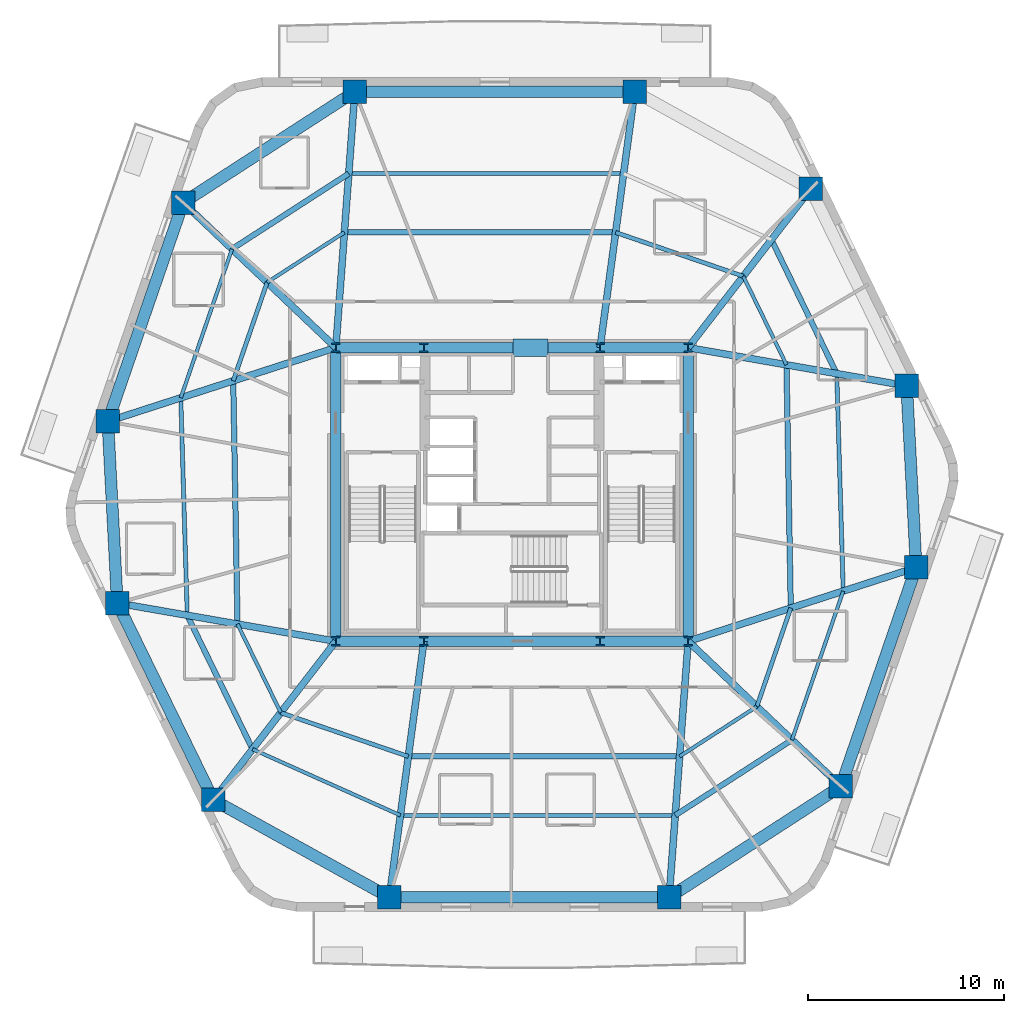
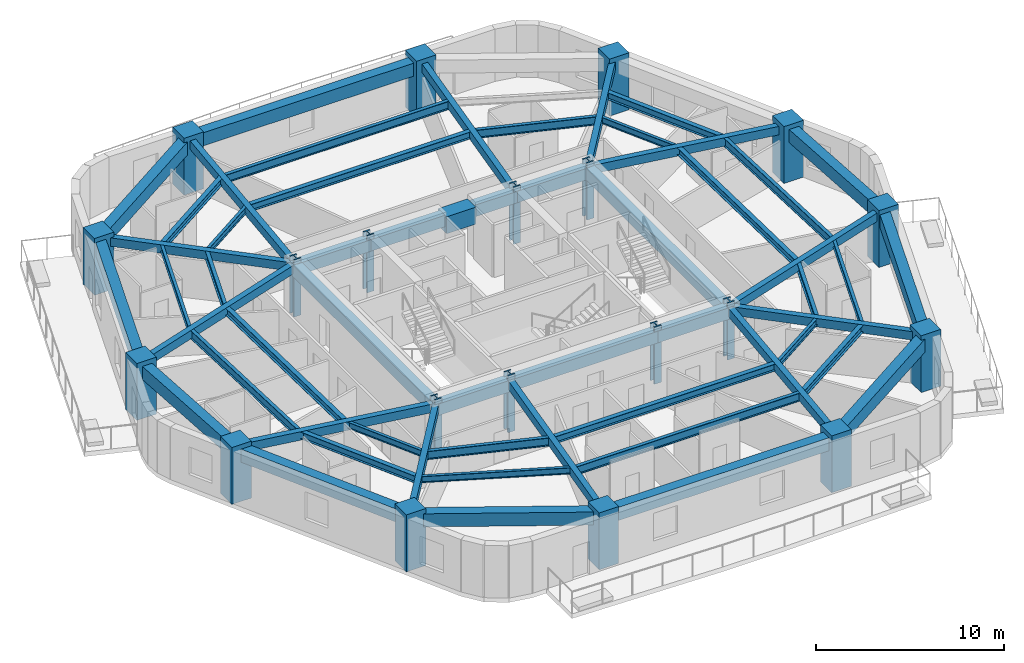
# One storey, part 1 of 8: 54 beams, 20 columns.
"""IFC4 building model written with IfcOpenShell, lengths in metres."""

from ifc_helpers import new_model, si_unit, direction, frame, origin, origin_2d, place, context, subcontext, project, spatial, rectangle, i_section, extrude, material, material_profile, profile_set, type_object, element, save


model = new_model("IFC4")

# Units and contexts
model_context = context("Model", 3, precision=1e-05, world=origin(), true_north=direction((0.0, 1.0)))
body_context = subcontext(model_context, "Body", "Model", "MODEL_VIEW")
ifc_project = project(units=[si_unit("LENGTHUNIT", "METRE"), si_unit("AREAUNIT", "SQUARE_METRE"), si_unit("VOLUMEUNIT", "CUBIC_METRE"), si_unit("PLANEANGLEUNIT", "RADIAN"), si_unit("MASSUNIT", "GRAM", prefix="KILO")], contexts=[model_context])

# Site, building, storey
site_placement = place(None, origin())
site = spatial("IfcSite", under=ifc_project, at=site_placement, CompositionType="ELEMENT")
building_placement = place(site_placement, origin())
building = spatial("IfcBuilding", under=site, at=building_placement, Name="Kilnhurst Terrace Hotel", CompositionType="ELEMENT")
storey_placement = place(building_placement, frame((0.0, 0.0, 102.5)))
storey = spatial("IfcBuildingStorey", under=building, at=storey_placement, Name="L24", CompositionType="ELEMENT", Elevation=102.5)

# Columns
ifc_material_1 = material(Name="Concrete C80/95", Category="concrete")
ifc_material_profile_1 = material_profile(ifc_material_1, rectangle(XDim=1.199951171875, YDim=1.199951171875, at=origin_2d()), Name="RC1200X1200")
ifc_profile_set_1 = profile_set([ifc_material_profile_1], Name="Concrete C80/95")
column_type_1 = type_object("IfcColumnType", Name="COL-RC-1200", PredefinedType="COLUMN", material=ifc_profile_set_1)
for number, where, z_axis, x_axis, name in (
    (1, (-6.26806640625, -20.580078125, 0.0), (0.0, 0.0, 1.0), (1.0, 0.0, 0.0), "L24 Structural Column PC-F11"),
    (2, (8.028076171875, -20.580078125, 0.0), (0.0, 0.0, 1.0), (1.0, 0.0, 0.0), "L24 Structural Column PC-F12"),
    (3, (16.800048828125, -14.910888671875, 0.0), (0.0, 0.0, 1.0), (1.0, 0.0, 0.0), "L24 Structural Column PC-F21"),
    (4, (20.64990234375, -3.73095703125, 0.0), (0.0, 0.0, 1.0), (1.0, 0.0, 0.0), "L24 Structural Column PC-F22"),
    (5, (20.1640625, 5.549072265625, 0.0), (0.0, 0.0, 1.0), (1.0, 0.0, 0.0), "L24 Structural Column PC-F31"),
    (6, (15.257080078125, 15.60888671875, 0.0), (0.0, 0.0, 1.0), (1.0, 0.0, 0.0), "L24 Structural Column PC-F32"),
    (7, (6.26806640625, 20.580078125, 0.0), (0.0, 0.0, 1.0), (1.0, 0.0, 0.0), "L24 Structural Column PC-F41"),
    (8, (-8.028076171875, 20.580078125, 0.0), (0.0, 0.0, 1.0), (1.0, 0.0, 0.0), "L24 Structural Column PC-F42"),
    (9, (-16.800048828125, 14.910888671875, 0.0), (0.0, 0.0, 1.0), (1.0, 0.0, 0.0), "L24 Structural Column PC-F51"),
    (10, (-20.64990234375, 3.73095703125, 0.0), (0.0, 0.0, 1.0), (1.0, 0.0, 0.0), "L24 Structural Column PC-F52"),
    (11, (-20.1640625, -5.549072265625, 0.0), (0.0, 0.0, 1.0), (1.0, 0.0, 0.0), "L24 Structural Column PC-F61"),
    (12, (-15.257080078125, -15.60888671875, 0.0), (0.0, 0.0, 1.0), (1.0, 0.0, 0.0), "L24 Structural Column PC-F62"),
):
    element("IfcColumn", number, at=place(storey_placement, frame(where, z_axis=z_axis, x_axis=x_axis)), inside=storey, type_object=column_type_1, Name=name, PredefinedType="COLUMN", context=body_context, shape_type="SweptSolid", body=[
        extrude(rectangle(XDim=1.199951171875, YDim=1.199951171875, at=origin_2d()), origin(), (0.0, 0.0, 1.0), 3.699951171875),
    ])
ifc_material_2 = material(Name="Steel ASTM A992 Grade 50", Category="steel")
ifc_material_profile_2 = material_profile(ifc_material_2, i_section(OverallWidth=0.43212890625, OverallDepth=0.497802734375, WebThickness=0.0556640625, FlangeThickness=0.0888671875, at=origin_2d()), Name="W14X500")
ifc_profile_set_2 = profile_set([ifc_material_profile_2], Name="Steel ASTM A992 Grade 50")
column_type_2 = type_object("IfcColumnType", Name="COL-STL-W14X500", PredefinedType="COLUMN", material=ifc_profile_set_2)
for number, where, z_axis, x_axis, name in (
    (13, (-9.0, -7.5, 0.0), (0.0, 0.0, 1.0), (1.0, 0.0, 0.0), "L24 Structural Column CC-SW"),
    (14, (-4.5, -7.5, 0.0), (0.0, 0.0, 1.0), (1.0, 0.0, 0.0), "L24 Structural Column CC-SC1"),
    (15, (4.5, -7.5, 0.0), (0.0, 0.0, 1.0), (1.0, 0.0, 0.0), "L24 Structural Column CC-SC2"),
    (16, (9.0, -7.5, 0.0), (0.0, 0.0, 1.0), (1.0, 0.0, 0.0), "L24 Structural Column CC-SE"),
    (17, (9.0, 7.5, 0.0), (0.0, 0.0, 1.0), (1.0, 0.0, 0.0), "L24 Structural Column CC-NE"),
    (18, (4.5, 7.5, 0.0), (0.0, 0.0, 1.0), (1.0, 0.0, 0.0), "L24 Structural Column CC-NC2"),
    (19, (-4.5, 7.5, 0.0), (0.0, 0.0, 1.0), (1.0, 0.0, 0.0), "L24 Structural Column CC-NC1"),
    (20, (-9.0, 7.5, 0.0), (0.0, 0.0, 1.0), (1.0, 0.0, 0.0), "L24 Structural Column CC-NW"),
):
    element("IfcColumn", number, at=place(storey_placement, frame(where, z_axis=z_axis, x_axis=x_axis)), inside=storey, type_object=column_type_2, Name=name, PredefinedType="COLUMN", context=body_context, shape_type="SweptSolid", body=[
        extrude(i_section(OverallWidth=0.43212890625, OverallDepth=0.497802734375, WebThickness=0.0556640625, FlangeThickness=0.0888671875, at=origin_2d()), origin(), (0.0, 0.0, 1.0), 3.699951171875),
    ])

# Beams
ifc_material_3 = material(Name="Concrete C50/60", Category="concrete")
ifc_material_profile_3 = material_profile(ifc_material_3, rectangle(XDim=0.35009765625, YDim=0.550048828125, at=origin_2d()), Name="RC350X550")
ifc_profile_set_3 = profile_set([ifc_material_profile_3], Name="Concrete C50/60")
beam_type_1 = type_object("IfcBeamType", Name="BM-RAD-350X550", PredefinedType="BEAM", material=ifc_profile_set_3)
beam_1_placement = place(storey_placement, frame((-4.5, -7.5, 3.125), z_axis=(-0.133954226177, -0.990987520249, 0.0), x_axis=(0.990987520249, -0.133954226177, 0.0)))
element("IfcBeam", 21, at=beam_1_placement, inside=storey, type_object=beam_type_1, Name="L24 Radial Floor Beam 1", PredefinedType="BEAM", context=body_context, shape_type="SweptSolid", body=[
    extrude(rectangle(XDim=0.35009765625, YDim=0.550048828125, at=origin_2d()), origin(), (0.0, 0.0, 1.0), 13.198974609375),
])
beam_2_placement = place(storey_placement, frame((9.0, -7.5, 3.125), z_axis=(-0.074101371747, -0.997250714066, 0.0), x_axis=(0.997250714066, -0.074101371747, 0.0)))
element("IfcBeam", 22, at=beam_2_placement, inside=storey, type_object=beam_type_1, Name="L24 Radial Floor Beam 2", PredefinedType="BEAM", context=body_context, shape_type="SweptSolid", body=[
    extrude(rectangle(XDim=0.35009765625, YDim=0.550048828125, at=origin_2d()), origin(), (0.0, 0.0, 1.0), 13.1162109375),
])
beam_3_placement = place(storey_placement, frame((9.0, -7.5, 3.125), z_axis=(0.724960341586, -0.688790609059, 0.0), x_axis=(0.688790609059, 0.724960341586, 0.0)))
element("IfcBeam", 23, at=beam_3_placement, inside=storey, type_object=beam_type_1, Name="L24 Radial Floor Beam 3", PredefinedType="BEAM", context=body_context, shape_type="SweptSolid", body=[
    extrude(rectangle(XDim=0.35009765625, YDim=0.550048828125, at=origin_2d()), origin(), (0.0, 0.0, 1.0), 10.75927734375),
])
beam_4_placement = place(storey_placement, frame((9.0, -7.5, 3.125), z_axis=(0.951445549065, 0.307817100182, 0.0), x_axis=(-0.307817100182, 0.951445549065, 0.0)))
element("IfcBeam", 24, at=beam_4_placement, inside=storey, type_object=beam_type_1, Name="L24 Radial Floor Beam 4", PredefinedType="BEAM", context=body_context, shape_type="SweptSolid", body=[
    extrude(rectangle(XDim=0.35009765625, YDim=0.550048828125, at=origin_2d()), origin(), (0.0, 0.0, 1.0), 12.244384765625),
])
beam_5_placement = place(storey_placement, frame((9.0, 7.5, 3.125), z_axis=(0.985072137567, -0.172142045384, 0.0), x_axis=(0.172142045384, 0.985072137567, 0.0)))
element("IfcBeam", 25, at=beam_5_placement, inside=storey, type_object=beam_type_1, Name="L24 Radial Floor Beam 5", PredefinedType="BEAM", context=body_context, shape_type="SweptSolid", body=[
    extrude(rectangle(XDim=0.35009765625, YDim=0.550048828125, at=origin_2d()), origin(), (0.0, 0.0, 1.0), 11.333251953125),
])
beam_6_placement = place(storey_placement, frame((9.0, 7.5, 3.125), z_axis=(0.610904638371, 0.79170418896, 0.0), x_axis=(-0.79170418896, 0.610904638371, 0.0)))
element("IfcBeam", 26, at=beam_6_placement, inside=storey, type_object=beam_type_1, Name="L24 Radial Floor Beam 6", PredefinedType="BEAM", context=body_context, shape_type="SweptSolid", body=[
    extrude(rectangle(XDim=0.35009765625, YDim=0.550048828125, at=origin_2d()), origin(), (0.0, 0.0, 1.0), 10.242431640625),
])
beam_7_placement = place(storey_placement, frame((4.5, 7.5, 3.125), z_axis=(0.133954226177, 0.990987520249, 0.0), x_axis=(-0.990987520249, 0.133954226177, 0.0)))
element("IfcBeam", 27, at=beam_7_placement, inside=storey, type_object=beam_type_1, Name="L24 Radial Floor Beam 7", PredefinedType="BEAM", context=body_context, shape_type="SweptSolid", body=[
    extrude(rectangle(XDim=0.35009765625, YDim=0.550048828125, at=origin_2d()), origin(), (0.0, 0.0, 1.0), 13.198974609375),
])
beam_8_placement = place(storey_placement, frame((-9.0, 7.5, 3.125), z_axis=(0.074101371747, 0.997250714066, 0.0), x_axis=(-0.997250714066, 0.074101371747, 0.0)))
element("IfcBeam", 28, at=beam_8_placement, inside=storey, type_object=beam_type_1, Name="L24 Radial Floor Beam 8", PredefinedType="BEAM", context=body_context, shape_type="SweptSolid", body=[
    extrude(rectangle(XDim=0.35009765625, YDim=0.550048828125, at=origin_2d()), origin(), (0.0, 0.0, 1.0), 13.1162109375),
])
beam_9_placement = place(storey_placement, frame((-9.0, 7.5, 3.125), z_axis=(-0.724960341586, 0.688790609059, 0.0), x_axis=(-0.688790609059, -0.724960341586, 0.0)))
element("IfcBeam", 29, at=beam_9_placement, inside=storey, type_object=beam_type_1, Name="L24 Radial Floor Beam 9", PredefinedType="BEAM", context=body_context, shape_type="SweptSolid", body=[
    extrude(rectangle(XDim=0.35009765625, YDim=0.550048828125, at=origin_2d()), origin(), (0.0, 0.0, 1.0), 10.75927734375),
])
beam_10_placement = place(storey_placement, frame((-9.0, 7.5, 3.125), z_axis=(-0.951445549065, -0.307817100182, 0.0), x_axis=(0.307817100182, -0.951445549065, 0.0)))
element("IfcBeam", 30, at=beam_10_placement, inside=storey, type_object=beam_type_1, Name="L24 Radial Floor Beam 10", PredefinedType="BEAM", context=body_context, shape_type="SweptSolid", body=[
    extrude(rectangle(XDim=0.35009765625, YDim=0.550048828125, at=origin_2d()), origin(), (0.0, 0.0, 1.0), 12.244384765625),
])
beam_11_placement = place(storey_placement, frame((-9.0, -7.5, 3.125), z_axis=(-0.985072137567, 0.172142045384, 0.0), x_axis=(-0.172142045384, -0.985072137567, 0.0)))
element("IfcBeam", 31, at=beam_11_placement, inside=storey, type_object=beam_type_1, Name="L24 Radial Floor Beam 11", PredefinedType="BEAM", context=body_context, shape_type="SweptSolid", body=[
    extrude(rectangle(XDim=0.35009765625, YDim=0.550048828125, at=origin_2d()), origin(), (0.0, 0.0, 1.0), 11.333251953125),
])
beam_12_placement = place(storey_placement, frame((-9.0, -7.5, 3.125), z_axis=(-0.610904638371, -0.79170418896, 0.0), x_axis=(0.79170418896, -0.610904638371, 0.0)))
element("IfcBeam", 32, at=beam_12_placement, inside=storey, type_object=beam_type_1, Name="L24 Radial Floor Beam 12", PredefinedType="BEAM", context=body_context, shape_type="SweptSolid", body=[
    extrude(rectangle(XDim=0.35009765625, YDim=0.550048828125, at=origin_2d()), origin(), (0.0, 0.0, 1.0), 10.242431640625),
])
ifc_material_profile_4 = material_profile(ifc_material_3, rectangle(XDim=0.550048828125, YDim=0.75, at=origin_2d()), Name="RC550X750")
ifc_profile_set_4 = profile_set([ifc_material_profile_4], Name="Concrete C50/60")
beam_type_2 = type_object("IfcBeamType", Name="BM-SPN-550X750", PredefinedType="SPANDREL", material=ifc_profile_set_4)
beam_13_placement = place(storey_placement, frame((-9.0, 7.5, 3.02490234375), z_axis=(1.0, 0.0, 0.0), x_axis=(0.0, 1.0, 0.0)))
element("IfcBeam", 33, at=beam_13_placement, inside=storey, type_object=beam_type_2, Name="L24 Core Tie Beam CC-NW to CC-NC1", PredefinedType="SPANDREL", context=body_context, shape_type="SweptSolid", body=[
    extrude(rectangle(XDim=0.550048828125, YDim=0.75, at=origin_2d()), origin(), (0.0, 0.0, 1.0), 4.5),
])
beam_14_placement = place(storey_placement, frame((-4.5, 7.5, 3.02490234375), z_axis=(1.0, 0.0, 0.0), x_axis=(0.0, 1.0, 0.0)))
element("IfcBeam", 34, at=beam_14_placement, inside=storey, type_object=beam_type_2, Name="L24 Core Tie Beam CC-NC1 to CC-NC2", PredefinedType="SPANDREL", context=body_context, shape_type="SweptSolid", body=[
    extrude(rectangle(XDim=0.550048828125, YDim=0.75, at=origin_2d()), origin(), (0.0, 0.0, 1.0), 9.0),
])
for number, where, z_axis, x_axis, name in (
    (35, (4.5, 7.5, 3.02490234375), (1.0, 0.0, 0.0), (0.0, 1.0, 0.0), "L24 Core Tie Beam CC-NC2 to CC-NE"),
    (36, (-9.0, -7.5, 3.02490234375), (1.0, 0.0, 0.0), (0.0, 1.0, 0.0), "L24 Core Tie Beam CC-SW to CC-SC1"),
):
    element("IfcBeam", number, at=place(storey_placement, frame(where, z_axis=z_axis, x_axis=x_axis)), inside=storey, type_object=beam_type_2, Name=name, PredefinedType="SPANDREL", context=body_context, shape_type="SweptSolid", body=[
        extrude(rectangle(XDim=0.550048828125, YDim=0.75, at=origin_2d()), origin(), (0.0, 0.0, 1.0), 4.5),
    ])
beam_15_placement = place(storey_placement, frame((-4.5, -7.5, 3.02490234375), z_axis=(1.0, 0.0, 0.0), x_axis=(0.0, 1.0, 0.0)))
element("IfcBeam", 37, at=beam_15_placement, inside=storey, type_object=beam_type_2, Name="L24 Core Tie Beam CC-SC1 to CC-SC2", PredefinedType="SPANDREL", context=body_context, shape_type="SweptSolid", body=[
    extrude(rectangle(XDim=0.550048828125, YDim=0.75, at=origin_2d()), origin(), (0.0, 0.0, 1.0), 9.0),
])
beam_16_placement = place(storey_placement, frame((4.5, -7.5, 3.02490234375), z_axis=(1.0, 0.0, 0.0), x_axis=(0.0, 1.0, 0.0)))
element("IfcBeam", 38, at=beam_16_placement, inside=storey, type_object=beam_type_2, Name="L24 Core Tie Beam CC-SC2 to CC-SE", PredefinedType="SPANDREL", context=body_context, shape_type="SweptSolid", body=[
    extrude(rectangle(XDim=0.550048828125, YDim=0.75, at=origin_2d()), origin(), (0.0, 0.0, 1.0), 4.5),
])
for number, where, z_axis, x_axis, name in (
    (39, (-9.0, -7.5, 3.02490234375), (0.0, 1.0, 0.0), (-1.0, 0.0, 0.0), "L24 Core Tie Beam CC-SW to CC-NW"),
    (40, (9.0, -7.5, 3.02490234375), (0.0, 1.0, 0.0), (-1.0, 0.0, 0.0), "L24 Core Tie Beam CC-SE to CC-NE"),
):
    element("IfcBeam", number, at=place(storey_placement, frame(where, z_axis=z_axis, x_axis=x_axis)), inside=storey, type_object=beam_type_2, Name=name, PredefinedType="SPANDREL", context=body_context, shape_type="SweptSolid", body=[
        extrude(rectangle(XDim=0.550048828125, YDim=0.75, at=origin_2d()), origin(), (0.0, 0.0, 1.0), 15.0),
    ])
ifc_material_profile_5 = material_profile(ifc_material_3, rectangle(XDim=0.60009765625, YDim=0.85009765625, at=origin_2d()), Name="RC600X850")
ifc_profile_set_5 = profile_set([ifc_material_profile_5], Name="Concrete C50/60")
beam_type_3 = type_object("IfcBeamType", Name="BM-SPN-600X850", PredefinedType="SPANDREL", material=ifc_profile_set_5)
beam_17_placement = place(storey_placement, frame((-6.26806640625, -20.580078125, 2.97509765625), z_axis=(1.0, 0.0, 0.0), x_axis=(0.0, 1.0, 0.0)))
element("IfcBeam", 41, at=beam_17_placement, inside=storey, type_object=beam_type_3, Name="L24 Perimeter Spandrel Beam 1", PredefinedType="SPANDREL", context=body_context, shape_type="SweptSolid", body=[
    extrude(rectangle(XDim=0.60009765625, YDim=0.85009765625, at=origin_2d()), origin(), (0.0, 0.0, 1.0), 14.296142578125),
])
beam_18_placement = place(storey_placement, frame((8.028076171875, -20.580078125, 2.97509765625), z_axis=(0.839866667472, 0.542792760517, 0.0), x_axis=(-0.542792760517, 0.839866667472, 0.0)))
element("IfcBeam", 42, at=beam_18_placement, inside=storey, type_object=beam_type_3, Name="L24 Perimeter Spandrel Beam 2", PredefinedType="SPANDREL", context=body_context, shape_type="SweptSolid", body=[
    extrude(rectangle(XDim=0.60009765625, YDim=0.85009765625, at=origin_2d()), origin(), (0.0, 0.0, 1.0), 10.444580078125),
])
beam_19_placement = place(storey_placement, frame((16.800048828125, -14.910888671875, 2.97509765625), z_axis=(0.325590408593, 0.945510912593, 0.0), x_axis=(-0.945510912593, 0.325590408593, 0.0)))
element("IfcBeam", 43, at=beam_19_placement, inside=storey, type_object=beam_type_3, Name="L24 Perimeter Spandrel Beam 3", PredefinedType="SPANDREL", context=body_context, shape_type="SweptSolid", body=[
    extrude(rectangle(XDim=0.60009765625, YDim=0.85009765625, at=origin_2d()), origin(), (0.0, 0.0, 1.0), 11.82421875),
])
beam_20_placement = place(storey_placement, frame((20.64990234375, -3.73095703125, 2.97509765625), z_axis=(-0.052281666706, 0.998632378469, 0.0), x_axis=(-0.998632378469, -0.052281666706, 0.0)))
element("IfcBeam", 44, at=beam_20_placement, inside=storey, type_object=beam_type_3, Name="L24 Perimeter Spandrel Beam 4", PredefinedType="SPANDREL", context=body_context, shape_type="SweptSolid", body=[
    extrude(rectangle(XDim=0.60009765625, YDim=0.85009765625, at=origin_2d()), origin(), (0.0, 0.0, 1.0), 9.292724609375),
])
beam_21_placement = place(storey_placement, frame((6.26806640625, 20.580078125, 2.97509765625), z_axis=(-1.0, 0.0, 0.0), x_axis=(0.0, -1.0, 0.0)))
element("IfcBeam", 45, at=beam_21_placement, inside=storey, type_object=beam_type_3, Name="L24 Perimeter Spandrel Beam 7", PredefinedType="SPANDREL", context=body_context, shape_type="SweptSolid", body=[
    extrude(rectangle(XDim=0.60009765625, YDim=0.85009765625, at=origin_2d()), origin(), (0.0, 0.0, 1.0), 14.296142578125),
])
beam_22_placement = place(storey_placement, frame((-8.028076171875, 20.580078125, 2.97509765625), z_axis=(-0.839866667472, -0.542792760517, 0.0), x_axis=(0.542792760517, -0.839866667472, 0.0)))
element("IfcBeam", 46, at=beam_22_placement, inside=storey, type_object=beam_type_3, Name="L24 Perimeter Spandrel Beam 8", PredefinedType="SPANDREL", context=body_context, shape_type="SweptSolid", body=[
    extrude(rectangle(XDim=0.60009765625, YDim=0.85009765625, at=origin_2d()), origin(), (0.0, 0.0, 1.0), 10.444580078125),
])
beam_23_placement = place(storey_placement, frame((-16.800048828125, 14.910888671875, 2.97509765625), z_axis=(-0.325590408593, -0.945510912593, 0.0), x_axis=(0.945510912593, -0.325590408593, 0.0)))
element("IfcBeam", 47, at=beam_23_placement, inside=storey, type_object=beam_type_3, Name="L24 Perimeter Spandrel Beam 9", PredefinedType="SPANDREL", context=body_context, shape_type="SweptSolid", body=[
    extrude(rectangle(XDim=0.60009765625, YDim=0.85009765625, at=origin_2d()), origin(), (0.0, 0.0, 1.0), 11.82421875),
])
beam_24_placement = place(storey_placement, frame((-20.64990234375, 3.73095703125, 2.97509765625), z_axis=(0.052281666706, -0.998632378469, 0.0), x_axis=(0.998632378469, 0.052281666706, 0.0)))
element("IfcBeam", 48, at=beam_24_placement, inside=storey, type_object=beam_type_3, Name="L24 Perimeter Spandrel Beam 10", PredefinedType="SPANDREL", context=body_context, shape_type="SweptSolid", body=[
    extrude(rectangle(XDim=0.60009765625, YDim=0.85009765625, at=origin_2d()), origin(), (0.0, 0.0, 1.0), 9.292724609375),
])
beam_25_placement = place(storey_placement, frame((-20.1640625, -5.549072265625, 2.97509765625), z_axis=(0.438406012271, -0.89877704043, 0.0), x_axis=(0.89877704043, 0.438406012271, 0.0)))
element("IfcBeam", 49, at=beam_25_placement, inside=storey, type_object=beam_type_3, Name="L24 Perimeter Spandrel Beam 11", PredefinedType="SPANDREL", context=body_context, shape_type="SweptSolid", body=[
    extrude(rectangle(XDim=0.60009765625, YDim=0.85009765625, at=origin_2d()), origin(), (0.0, 0.0, 1.0), 11.19287109375),
])
beam_26_placement = place(storey_placement, frame((-15.257080078125, -15.60888671875, 2.97509765625), z_axis=(0.875094010429, -0.483952965598, 0.0), x_axis=(0.483952965598, 0.875094010429, 0.0)))
element("IfcBeam", 50, at=beam_26_placement, inside=storey, type_object=beam_type_3, Name="L24 Perimeter Spandrel Beam 12", PredefinedType="SPANDREL", context=body_context, shape_type="SweptSolid", body=[
    extrude(rectangle(XDim=0.60009765625, YDim=0.85009765625, at=origin_2d()), origin(), (0.0, 0.0, 1.0), 10.27197265625),
])
ifc_material_profile_6 = material_profile(ifc_material_2, i_section(OverallWidth=0.180908203125, OverallDepth=0.417236328125, WebThickness=0.010986328125, FlangeThickness=0.018310546875, at=origin_2d()), Name="W16X57")
ifc_profile_set_6 = profile_set([ifc_material_profile_6], Name="Steel ASTM A992 Grade 50")
beam_type_4 = type_object("IfcBeamType", Name="JST-STL-W16X57", PredefinedType="JOIST", material=ifc_profile_set_6)
for number, where, z_axis, x_axis, name in (
    (51, (14.303955078125, -12.53955078125, 3.19091796875), (0.325612620381, 0.945503263584, 0.0), (-0.945503263584, 0.325612620381, 0.0), "L24 Secondary Floor Steel Joist OUT.3"),
    (52, (-14.303955078125, 12.53955078125, 3.19091796875), (-0.325612620381, -0.945503263584, 0.0), (0.945503263584, -0.325612620381, 0.0), "L24 Secondary Floor Steel Joist OUT.9"),
):
    element("IfcBeam", number, at=place(storey_placement, frame(where, z_axis=z_axis, x_axis=x_axis)), inside=storey, type_object=beam_type_4, Name=name, PredefinedType="JOIST", context=body_context, shape_type="SweptSolid", body=[
        extrude(i_section(OverallWidth=0.180908203125, OverallDepth=0.417236328125, WebThickness=0.010986328125, FlangeThickness=0.018310546875, at=origin_2d()), origin(), (0.0, 0.0, 1.0), 8.040771484375),
    ])
beam_27_placement = place(storey_placement, frame((-13.2548828125, -13.01416015625, 3.19091796875), z_axis=(0.912760935806, -0.408494154262, 0.0), x_axis=(0.408494154262, 0.912760935806, 0.0)))
element("IfcBeam", 53, at=beam_27_placement, inside=storey, type_object=beam_type_4, Name="L24 Secondary Floor Steel Joist OUT.12", PredefinedType="JOIST", context=body_context, shape_type="SweptSolid", body=[
    extrude(i_section(OverallWidth=0.180908203125, OverallDepth=0.417236328125, WebThickness=0.010986328125, FlangeThickness=0.018310546875, at=origin_2d()), origin(), (0.0, 0.0, 1.0), 8.274658203125),
])
beam_28_placement = place(storey_placement, frame((8.5625, -13.385986328125, 3.19091796875), z_axis=(0.839884974974, 0.542764432155, 0.0), x_axis=(-0.542764432155, 0.839884974974, 0.0)))
element("IfcBeam", 54, at=beam_28_placement, inside=storey, type_object=beam_type_4, Name="L24 Secondary Floor Steel Joist IN.2", PredefinedType="JOIST", context=body_context, shape_type="SweptSolid", body=[
    extrude(i_section(OverallWidth=0.180908203125, OverallDepth=0.417236328125, WebThickness=0.010986328125, FlangeThickness=0.018310546875, at=origin_2d()), origin(), (0.0, 0.0, 1.0), 4.699951171875),
])
beam_29_placement = place(storey_placement, frame((14.023681640625, 6.6220703125, 3.19091796875), z_axis=(-0.438389251087, 0.898785216017, 0.0), x_axis=(-0.898785216017, -0.438389251087, 0.0)))
element("IfcBeam", 55, at=beam_29_placement, inside=storey, type_object=beam_type_4, Name="L24 Secondary Floor Steel Joist IN.5", PredefinedType="JOIST", context=body_context, shape_type="SweptSolid", body=[
    extrude(i_section(OverallWidth=0.180908203125, OverallDepth=0.417236328125, WebThickness=0.010986328125, FlangeThickness=0.018310546875, at=origin_2d()), origin(), (0.0, 0.0, 1.0), 5.03662109375),
])
beam_30_placement = place(storey_placement, frame((-8.5625, 13.385986328125, 3.19091796875), z_axis=(-0.839884974974, -0.542764432155, 0.0), x_axis=(0.542764432155, -0.839884974974, 0.0)))
element("IfcBeam", 56, at=beam_30_placement, inside=storey, type_object=beam_type_4, Name="L24 Secondary Floor Steel Joist IN.8", PredefinedType="JOIST", context=body_context, shape_type="SweptSolid", body=[
    extrude(i_section(OverallWidth=0.180908203125, OverallDepth=0.417236328125, WebThickness=0.010986328125, FlangeThickness=0.018310546875, at=origin_2d()), origin(), (0.0, 0.0, 1.0), 4.699951171875),
])
beam_31_placement = place(storey_placement, frame((-14.023681640625, -6.6220703125, 3.19091796875), z_axis=(0.438389251087, -0.898785216017, 0.0), x_axis=(0.898785216017, 0.438389251087, 0.0)))
element("IfcBeam", 57, at=beam_31_placement, inside=storey, type_object=beam_type_4, Name="L24 Secondary Floor Steel Joist IN.11", PredefinedType="JOIST", context=body_context, shape_type="SweptSolid", body=[
    extrude(i_section(OverallWidth=0.180908203125, OverallDepth=0.417236328125, WebThickness=0.010986328125, FlangeThickness=0.018310546875, at=origin_2d()), origin(), (0.0, 0.0, 1.0), 5.03662109375),
])
ifc_material_profile_7 = material_profile(ifc_material_2, i_section(OverallWidth=0.279296875, OverallDepth=0.462890625, WebThickness=0.0107421875, FlangeThickness=0.017333984375, at=origin_2d()), Name="W18X76")
ifc_profile_set_7 = profile_set([ifc_material_profile_7], Name="Steel ASTM A992 Grade 50")
beam_type_5 = type_object("IfcBeamType", Name="JST-STL-W18X76", PredefinedType="JOIST", material=ifc_profile_set_7)
beam_32_placement = place(storey_placement, frame((8.339111328125, -16.394287109375, 3.16796875), z_axis=(0.839882675086, 0.542767991034, 0.0), x_axis=(-0.542767991034, 0.839882675086, 0.0)))
element("IfcBeam", 58, at=beam_32_placement, inside=storey, type_object=beam_type_5, Name="L24 Secondary Floor Steel Joist OUT.2", PredefinedType="JOIST", context=body_context, shape_type="SweptSolid", body=[
    extrude(i_section(OverallWidth=0.279296875, OverallDepth=0.462890625, WebThickness=0.0107421875, FlangeThickness=0.017333984375, at=origin_2d()), origin(), (0.0, 0.0, 1.0), 7.10205078125),
])
beam_33_placement = place(storey_placement, frame((16.591552734375, 6.17333984375, 3.16796875), z_axis=(-0.438390137084, 0.898784783865, 0.0), x_axis=(-0.898784783865, -0.438390137084, 0.0)))
element("IfcBeam", 59, at=beam_33_placement, inside=storey, type_object=beam_type_5, Name="L24 Secondary Floor Steel Joist OUT.5", PredefinedType="JOIST", context=body_context, shape_type="SweptSolid", body=[
    extrude(i_section(OverallWidth=0.279296875, OverallDepth=0.462890625, WebThickness=0.0107421875, FlangeThickness=0.017333984375, at=origin_2d()), origin(), (0.0, 0.0, 1.0), 7.611083984375),
])
beam_34_placement = place(storey_placement, frame((-8.339111328125, 16.394287109375, 3.16796875), z_axis=(-0.839882675086, -0.542767991034, 0.0), x_axis=(0.542767991034, -0.839882675086, 0.0)))
element("IfcBeam", 60, at=beam_34_placement, inside=storey, type_object=beam_type_5, Name="L24 Secondary Floor Steel Joist OUT.8", PredefinedType="JOIST", context=body_context, shape_type="SweptSolid", body=[
    extrude(i_section(OverallWidth=0.279296875, OverallDepth=0.462890625, WebThickness=0.0107421875, FlangeThickness=0.017333984375, at=origin_2d()), origin(), (0.0, 0.0, 1.0), 7.10205078125),
])
beam_35_placement = place(storey_placement, frame((-16.591552734375, -6.17333984375, 3.16796875), z_axis=(0.438390137084, -0.898784783865, 0.0), x_axis=(0.898784783865, 0.438390137084, 0.0)))
element("IfcBeam", 61, at=beam_35_placement, inside=storey, type_object=beam_type_5, Name="L24 Secondary Floor Steel Joist OUT.11", PredefinedType="JOIST", context=body_context, shape_type="SweptSolid", body=[
    extrude(i_section(OverallWidth=0.279296875, OverallDepth=0.462890625, WebThickness=0.0107421875, FlangeThickness=0.017333984375, at=origin_2d()), origin(), (0.0, 0.0, 1.0), 7.611083984375),
])
beam_36_placement = place(storey_placement, frame((-5.295654296875, -13.385986328125, 3.16796875), z_axis=(1.0, 0.0, 0.0), x_axis=(0.0, 1.0, 0.0)))
element("IfcBeam", 62, at=beam_36_placement, inside=storey, type_object=beam_type_5, Name="L24 Secondary Floor Steel Joist IN.1", PredefinedType="JOIST", context=body_context, shape_type="SweptSolid", body=[
    extrude(i_section(OverallWidth=0.279296875, OverallDepth=0.462890625, WebThickness=0.0107421875, FlangeThickness=0.017333984375, at=origin_2d()), origin(), (0.0, 0.0, 1.0), 13.858154296875),
])
beam_37_placement = place(storey_placement, frame((14.242431640625, -5.803955078125, 3.16796875), z_axis=(-0.017601453796, 0.999845082412, 0.0), x_axis=(-0.999845082412, -0.017601453796, 0.0)))
element("IfcBeam", 63, at=beam_37_placement, inside=storey, type_object=beam_type_5, Name="L24 Secondary Floor Steel Joist IN.4", PredefinedType="JOIST", context=body_context, shape_type="SweptSolid", body=[
    extrude(i_section(OverallWidth=0.279296875, OverallDepth=0.462890625, WebThickness=0.0107421875, FlangeThickness=0.017333984375, at=origin_2d()), origin(), (0.0, 0.0, 1.0), 12.427978515625),
])
beam_38_placement = place(storey_placement, frame((5.295654296875, 13.385986328125, 3.16796875), z_axis=(-1.0, 0.0, 0.0), x_axis=(0.0, -1.0, 0.0)))
element("IfcBeam", 64, at=beam_38_placement, inside=storey, type_object=beam_type_5, Name="L24 Secondary Floor Steel Joist IN.7", PredefinedType="JOIST", context=body_context, shape_type="SweptSolid", body=[
    extrude(i_section(OverallWidth=0.279296875, OverallDepth=0.462890625, WebThickness=0.0107421875, FlangeThickness=0.017333984375, at=origin_2d()), origin(), (0.0, 0.0, 1.0), 13.858154296875),
])
beam_39_placement = place(storey_placement, frame((-14.242431640625, 5.803955078125, 3.16796875), z_axis=(0.017601453796, -0.999845082412, 0.0), x_axis=(0.999845082412, 0.017601453796, 0.0)))
element("IfcBeam", 65, at=beam_39_placement, inside=storey, type_object=beam_type_5, Name="L24 Secondary Floor Steel Joist IN.10", PredefinedType="JOIST", context=body_context, shape_type="SweptSolid", body=[
    extrude(i_section(OverallWidth=0.279296875, OverallDepth=0.462890625, WebThickness=0.0107421875, FlangeThickness=0.017333984375, at=origin_2d()), origin(), (0.0, 0.0, 1.0), 12.427978515625),
])
ifc_material_profile_8 = material_profile(ifc_material_2, i_section(OverallWidth=0.2138671875, OverallDepth=0.549072265625, WebThickness=0.0146484375, FlangeThickness=0.023681640625, at=origin_2d()), Name="W21X93")
ifc_profile_set_8 = profile_set([ifc_material_profile_8], Name="Steel ASTM A992 Grade 50")
beam_type_6 = type_object("IfcBeamType", Name="JST-STL-W21X93", PredefinedType="JOIST", material=ifc_profile_set_8)
beam_40_placement = place(storey_placement, frame((-5.7021484375, -16.394287109375, 3.125), z_axis=(1.0, 0.0, 0.0), x_axis=(0.0, 1.0, 0.0)))
element("IfcBeam", 66, at=beam_40_placement, inside=storey, type_object=beam_type_6, Name="L24 Secondary Floor Steel Joist OUT.1", PredefinedType="JOIST", context=body_context, shape_type="SweptSolid", body=[
    extrude(i_section(OverallWidth=0.2138671875, OverallDepth=0.549072265625, WebThickness=0.0146484375, FlangeThickness=0.023681640625, at=origin_2d()), origin(), (0.0, 0.0, 1.0), 14.041259765625),
])
beam_41_placement = place(storey_placement, frame((16.922119140625, -4.93701171875, 3.125), z_axis=(-0.029739849895, 0.999557672837, 0.0), x_axis=(-0.999557672837, -0.029739849895, 0.0)))
element("IfcBeam", 67, at=beam_41_placement, inside=storey, type_object=beam_type_6, Name="L24 Secondary Floor Steel Joist OUT.4", PredefinedType="JOIST", context=body_context, shape_type="SweptSolid", body=[
    extrude(i_section(OverallWidth=0.2138671875, OverallDepth=0.549072265625, WebThickness=0.0146484375, FlangeThickness=0.023681640625, at=origin_2d()), origin(), (0.0, 0.0, 1.0), 11.115234375),
])
beam_42_placement = place(storey_placement, frame((5.7021484375, 16.394287109375, 3.125), z_axis=(-1.0, 0.0, 0.0), x_axis=(0.0, -1.0, 0.0)))
element("IfcBeam", 68, at=beam_42_placement, inside=storey, type_object=beam_type_6, Name="L24 Secondary Floor Steel Joist OUT.7", PredefinedType="JOIST", context=body_context, shape_type="SweptSolid", body=[
    extrude(i_section(OverallWidth=0.2138671875, OverallDepth=0.549072265625, WebThickness=0.0146484375, FlangeThickness=0.023681640625, at=origin_2d()), origin(), (0.0, 0.0, 1.0), 14.041259765625),
])
beam_43_placement = place(storey_placement, frame((-16.922119140625, 4.93701171875, 3.125), z_axis=(0.029739849895, -0.999557672837, 0.0), x_axis=(0.999557672837, 0.029739849895, 0.0)))
element("IfcBeam", 69, at=beam_43_placement, inside=storey, type_object=beam_type_6, Name="L24 Secondary Floor Steel Joist OUT.10", PredefinedType="JOIST", context=body_context, shape_type="SweptSolid", body=[
    extrude(i_section(OverallWidth=0.2138671875, OverallDepth=0.549072265625, WebThickness=0.0146484375, FlangeThickness=0.023681640625, at=origin_2d()), origin(), (0.0, 0.0, 1.0), 11.115234375),
])
beam_44_placement = place(storey_placement, frame((12.510009765625, -10.8349609375, 3.125), z_axis=(0.325586238877, 0.945512348441, 0.0), x_axis=(-0.945512348441, 0.325586238877, 0.0)))
element("IfcBeam", 70, at=beam_44_placement, inside=storey, type_object=beam_type_6, Name="L24 Secondary Floor Steel Joist IN.3", PredefinedType="JOIST", context=body_context, shape_type="SweptSolid", body=[
    extrude(i_section(OverallWidth=0.2138671875, OverallDepth=0.549072265625, WebThickness=0.0146484375, FlangeThickness=0.023681640625, at=origin_2d()), origin(), (0.0, 0.0, 1.0), 5.321044921875),
])
beam_45_placement = place(storey_placement, frame((11.815673828125, 11.14892578125, 3.125), z_axis=(-0.945873585837, 0.324535297949, 0.0), x_axis=(-0.324535297949, -0.945873585837, 0.0)))
element("IfcBeam", 71, at=beam_45_placement, inside=storey, type_object=beam_type_6, Name="L24 Secondary Floor Steel Joist IN.6", PredefinedType="JOIST", context=body_context, shape_type="SweptSolid", body=[
    extrude(i_section(OverallWidth=0.2138671875, OverallDepth=0.549072265625, WebThickness=0.0146484375, FlangeThickness=0.023681640625, at=origin_2d()), origin(), (0.0, 0.0, 1.0), 6.89306640625),
])
beam_46_placement = place(storey_placement, frame((-12.510009765625, 10.8349609375, 3.125), z_axis=(-0.325586238877, -0.945512348441, 0.0), x_axis=(0.945512348441, -0.325586238877, 0.0)))
element("IfcBeam", 72, at=beam_46_placement, inside=storey, type_object=beam_type_6, Name="L24 Secondary Floor Steel Joist IN.9", PredefinedType="JOIST", context=body_context, shape_type="SweptSolid", body=[
    extrude(i_section(OverallWidth=0.2138671875, OverallDepth=0.549072265625, WebThickness=0.0146484375, FlangeThickness=0.023681640625, at=origin_2d()), origin(), (0.0, 0.0, 1.0), 5.321044921875),
])
beam_47_placement = place(storey_placement, frame((-11.815673828125, -11.14892578125, 3.125), z_axis=(0.945873585837, -0.324535297949, 0.0), x_axis=(0.324535297949, 0.945873585837, 0.0)))
element("IfcBeam", 73, at=beam_47_placement, inside=storey, type_object=beam_type_6, Name="L24 Secondary Floor Steel Joist IN.12", PredefinedType="JOIST", context=body_context, shape_type="SweptSolid", body=[
    extrude(i_section(OverallWidth=0.2138671875, OverallDepth=0.549072265625, WebThickness=0.0146484375, FlangeThickness=0.023681640625, at=origin_2d()), origin(), (0.0, 0.0, 1.0), 6.89306640625),
])
ifc_material_profile_9 = material_profile(ifc_material_1, rectangle(XDim=0.89990234375, YDim=1.10009765625, at=origin_2d()), Name="RC900X1100")
ifc_profile_set_9 = profile_set([ifc_material_profile_9], Name="Concrete C80/95")
beam_type_7 = type_object("IfcBeamType", Name="LNT-CB-900X1100", PredefinedType="LINTEL", material=ifc_profile_set_9)
beam_48_placement = place(storey_placement, frame((0.050048828125, 7.5, 2.85009765625), z_axis=(1.0, 0.0, 0.0), x_axis=(0.0, 1.0, 0.0)))
element("IfcBeam", 74, at=beam_48_placement, inside=storey, type_object=beam_type_7, Name="L24 North Core Coupling Link Beam", PredefinedType="LINTEL", context=body_context, shape_type="SweptSolid", body=[
    extrude(rectangle(XDim=0.89990234375, YDim=1.10009765625, at=origin_2d()), origin(), (0.0, 0.0, 1.0), 1.800048828125),
])

save(model, "model.ifc")
